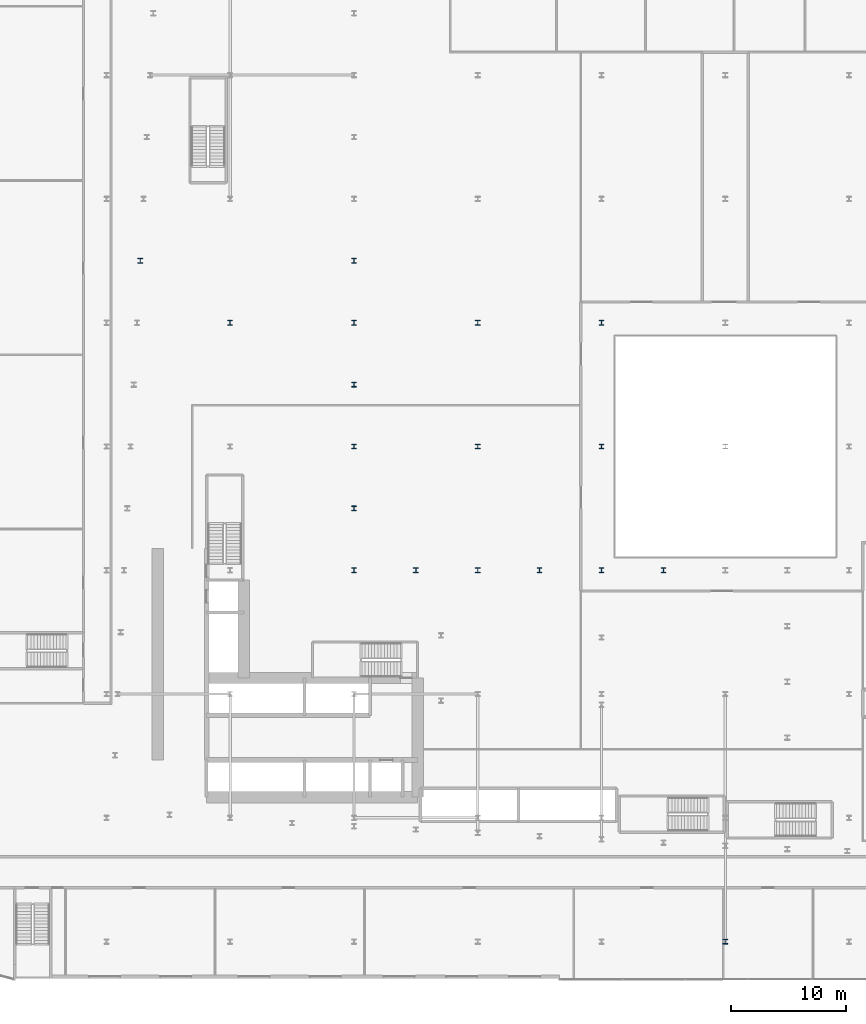
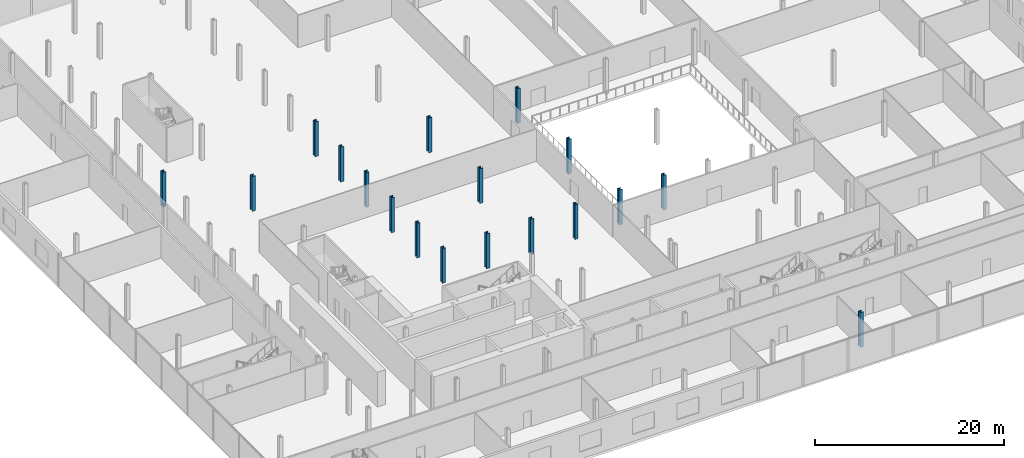
# One storey, part 2 of 47: 18 columns.
"""IFC4 building model written with IfcOpenShell, lengths in metres."""

from ifc_helpers import new_model, si_unit, direction, frame, origin, origin_2d, place, context, subcontext, project, spatial, i_section, extrude, material, material_profile, profile_set, type_object, element, save


model = new_model("IFC4")

# Units and contexts
model_context = context("Model", 3, precision=1e-05, world=origin(), true_north=direction((0.0, 1.0)))
body_context = subcontext(model_context, "Body", "Model", "MODEL_VIEW")
ifc_project = project(units=[si_unit("LENGTHUNIT", "METRE"), si_unit("AREAUNIT", "SQUARE_METRE"), si_unit("VOLUMEUNIT", "CUBIC_METRE"), si_unit("PLANEANGLEUNIT", "RADIAN"), si_unit("MASSUNIT", "GRAM", prefix="KILO")], contexts=[model_context])

# Site, building, storey
site_placement = place(None, origin())
site = spatial("IfcSite", under=ifc_project, at=site_placement, CompositionType="ELEMENT")
building_placement = place(site_placement, origin())
building = spatial("IfcBuilding", under=site, at=building_placement, Name="Kheshtan School and Residences Tower", CompositionType="ELEMENT")
storey_placement = place(building_placement, frame((0.0, 0.0, 21.5)))
storey = spatial("IfcBuildingStorey", under=building, at=storey_placement, Name="L04", CompositionType="ELEMENT", Elevation=21.5)

# Columns
ifc_material = material(Name="Steel ASTM A992 Grade 50", Category="steel")
ifc_material_profile = material_profile(ifc_material, i_section(OverallWidth=0.408935546875, OverallDepth=0.425048828125, WebThickness=0.03271484375, FlangeThickness=0.052490234375, FilletRadius=0.0126953125, at=origin_2d()), Name="W360x421")
ifc_profile_set = profile_set([ifc_material_profile], Name="Steel ASTM A992 Grade 50")
column_type = type_object("IfcColumnType", Name="Column PC2 W360x421 ASTM A992 Grade 50", PredefinedType="COLUMN", material=ifc_profile_set)
for number, where, z_axis, x_axis, name in (
    (1, (80.0, 13.199951171875, 0.0), (0.0, 0.0, 1.0), (1.0, 0.0, 0.0), "Column P-007"),
    (2, (47.60009765625, 45.60009765625, 0.0), (0.0, 0.0, 1.0), (1.0, 0.0, 0.0), "Column P-040"),
    (3, (58.39990234375, 45.60009765625, 0.0), (0.0, 0.0, 1.0), (1.0, 0.0, 0.0), "Column P-041"),
    (4, (69.199951171875, 45.60009765625, 0.0), (0.0, 0.0, 1.0), (1.0, 0.0, 0.0), "Column P-042"),
    (5, (47.60009765625, 56.39990234375, 0.0), (0.0, 0.0, 1.0), (1.0, 0.0, 0.0), "Column P-052"),
    (6, (58.39990234375, 56.39990234375, 0.0), (0.0, 0.0, 1.0), (1.0, 0.0, 0.0), "Column P-053"),
    (7, (69.199951171875, 56.39990234375, 0.0), (0.0, 0.0, 1.0), (1.0, 0.0, 0.0), "Column P-054"),
    (8, (36.800048828125, 67.199951171875, 0.0), (0.0, 0.0, 1.0), (1.0, 0.0, 0.0), "Column P-063"),
    (9, (47.60009765625, 67.199951171875, 0.0), (0.0, 0.0, 1.0), (1.0, 0.0, 0.0), "Column P-064"),
    (10, (58.39990234375, 67.199951171875, 0.0), (0.0, 0.0, 1.0), (1.0, 0.0, 0.0), "Column P-065"),
    (11, (69.199951171875, 67.199951171875, 0.0), (0.0, 0.0, 1.0), (1.0, 0.0, 0.0), "Column P-066"),
    (12, (53.0, 45.60009765625, 0.0), (0.0, 0.0, 1.0), (1.0, 0.0, 0.0), "Transfer column X16"),
    (13, (63.800048828125, 45.60009765625, 0.0), (0.0, 0.0, 1.0), (1.0, 0.0, 0.0), "Transfer column X17"),
    (14, (74.60009765625, 45.60009765625, 0.0), (0.0, 0.0, 1.0), (1.0, 0.0, 0.0), "Transfer column X18"),
    (15, (47.60009765625, 51.0, 0.0), (0.0, 0.0, 1.0), (1.0, 0.0, 0.0), "Transfer column X21"),
    (16, (47.60009765625, 61.800048828125, 0.0), (0.0, 0.0, 1.0), (1.0, 0.0, 0.0), "Transfer column X24"),
    (17, (28.9599609375, 72.60009765625, 0.0), (0.0, 0.0, 1.0), (1.0, 0.0, 0.0), "Transfer column X26"),
    (18, (47.60009765625, 72.60009765625, 0.0), (0.0, 0.0, 1.0), (1.0, 0.0, 0.0), "Transfer column X27"),
):
    element("IfcColumn", number, at=place(storey_placement, frame(where, z_axis=z_axis, x_axis=x_axis)), inside=storey, type_object=column_type, Name=name, PredefinedType="COLUMN", context=body_context, shape_type="SweptSolid", body=[
        extrude(i_section(OverallWidth=0.408935546875, OverallDepth=0.425048828125, WebThickness=0.03271484375, FlangeThickness=0.052490234375, FilletRadius=0.0126953125, at=origin_2d()), origin(), (0.0, 0.0, 1.0), 4.5),
    ])

save(model, "model.ifc")
